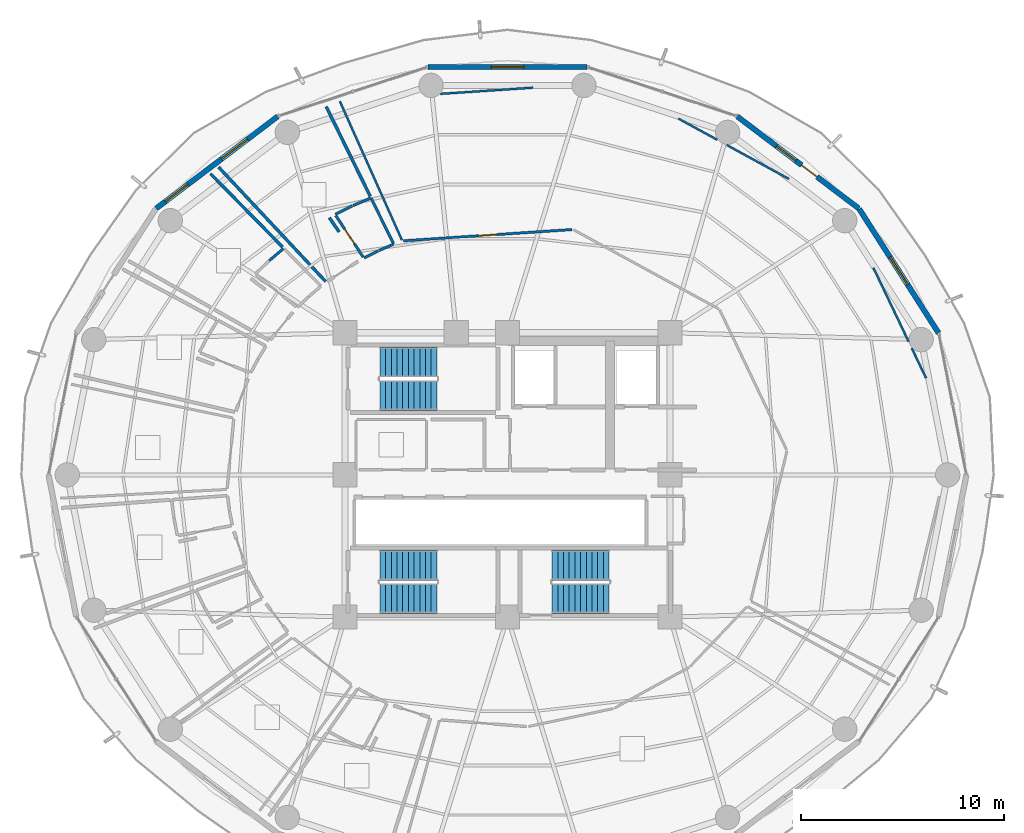
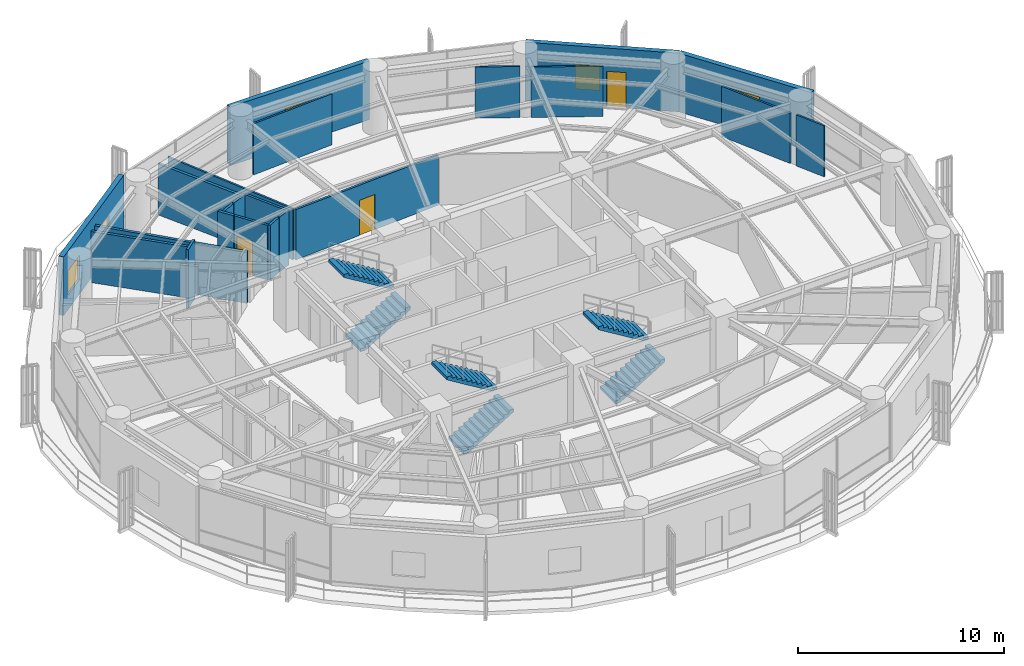
# One storey, part 24 of 29: 22 walls, 6 stair flights, 5 windows, 3 doors, 8 openings, 3 elements without a shape of their own.
"""IFC4 building model written with IfcOpenShell, lengths in metres."""

import ifcopenshell
import ifcopenshell.guid

model = None  # the IFC model being written
_history = None  # IfcOwnerHistory: only IFC2X3 demands one
_inside = {}  # id of a spatial element -> (the spatial element, [elements in it])
_under = {}  # id of a project, library or spatial element -> (it, [spatial elements below it])
_declared = {}  # id of a project -> (the project, [libraries it declares])
_typed = {}  # id of a type object -> (the type object, [elements of that type])
_made_of = {}  # id of a material, layer set ... -> (it, [elements and type objects made of it])


def new_model(schema):
    """Start an empty IFC model of exactly this schema.

    Asked for "IFC4X3", IfcOpenShell would pick the latest addendum, in which some entities
    have other attributes; the version numbers below select the first issue.
    IFC2X3 requires an IfcOwnerHistory on every rooted entity: one is made here for all.
    """
    global model, _history
    if schema == "IFC4X3":
        model = ifcopenshell.file(schema_version=(4, 3, 0, 0))
    else:
        model = ifcopenshell.file(schema=schema)
    _inside.clear()
    _under.clear()
    _declared.clear()
    _typed.clear()
    _made_of.clear()
    _history = None
    if model.schema == "IFC2X3":
        org = make("IfcOrganization", Name="unknown")
        user = make(
            "IfcPersonAndOrganization",
            ThePerson=make("IfcPerson", FamilyName="unknown"),
            TheOrganization=org,
        )
        app = make(
            "IfcApplication",
            ApplicationDeveloper=org,
            Version="unknown",
            ApplicationFullName="unknown",
            ApplicationIdentifier="unknown",
        )
        _history = make(
            "IfcOwnerHistory",
            OwningUser=user,
            OwningApplication=app,
            ChangeAction="ADDED",
            CreationDate=0,
        )
    return model


def make(cls, **values):
    """One entity of the class cls with the attributes given. An attribute that is None is left unset."""
    return model.create_entity(
        cls, **{name: value for name, value in values.items() if value is not None}
    )


def rooted(cls, **values):
    """An entity with a GlobalId (a new one), such as an element, a storey or a relation."""
    return make(cls, GlobalId=ifcopenshell.guid.new(), OwnerHistory=_history, **values)


def si_unit(unit_type, name, prefix=None):
    """IfcSIUnit, for example si_unit("LENGTHUNIT", "METRE", prefix="MILLI")."""
    return make("IfcSIUnit", UnitType=unit_type, Prefix=prefix, Name=name)


def assignment(units):
    """IfcUnitAssignment: the units of a project."""
    return None if units is None else make("IfcUnitAssignment", Units=units)


def point(xyz):
    """IfcCartesianPoint."""
    return None if xyz is None else make("IfcCartesianPoint", Coordinates=xyz)


def direction(xyz):
    """IfcDirection."""
    return None if xyz is None else make("IfcDirection", DirectionRatios=xyz)


def frame(location, z_axis=None, x_axis=None):
    """IfcAxis2Placement3D, a coordinate frame: its origin and axes. An axis left out is left unset."""
    return make(
        "IfcAxis2Placement3D",
        Location=point(location),
        Axis=direction(z_axis),
        RefDirection=direction(x_axis),
    )


def frame_2d(location, x_axis=None):
    """IfcAxis2Placement2D, a coordinate frame in the plane: its origin and x axis."""
    return make(
        "IfcAxis2Placement2D", Location=point(location), RefDirection=direction(x_axis)
    )


def origin():
    """The frame at (0, 0, 0) with its axes left unset."""
    return frame((0.0, 0.0, 0.0))


def place(relative_to, where):
    """IfcLocalPlacement: puts the frame where relative to a parent placement (None: the world)."""
    return make(
        "IfcLocalPlacement", PlacementRelTo=relative_to, RelativePlacement=where
    )


def context(
    kind, dimensions, precision=None, world=None, true_north=None, identifier=None
):
    """IfcGeometricRepresentationContext, for example the 3D "Model" context."""
    return make(
        "IfcGeometricRepresentationContext",
        ContextIdentifier=identifier,
        ContextType=kind,
        CoordinateSpaceDimension=dimensions,
        Precision=precision,
        WorldCoordinateSystem=world,
        TrueNorth=true_north,
    )


def subcontext(parent, identifier, kind, view, scale=None):
    """IfcGeometricRepresentationSubContext, for example "Body" below "Model"."""
    return make(
        "IfcGeometricRepresentationSubContext",
        ContextIdentifier=identifier,
        ContextType=kind,
        ParentContext=parent,
        TargetScale=scale,
        TargetView=view,
    )


def project(units=None, contexts=None):
    """IfcProject with its units and contexts."""
    return rooted(
        "IfcProject",
        Name="project",
        RepresentationContexts=contexts,
        UnitsInContext=assignment(units),
    )


def spatial(cls, under=None, at=None, **own):
    """A site, building, storey or space (cls), placed at a placement, below another one or the project."""
    s = rooted(cls, ObjectPlacement=at, **own)
    if under is not None:
        _under.setdefault(under.id(), (under, []))[1].append(s)
    return s


def polyline(points):
    """IfcPolyline through the points."""
    return make("IfcPolyline", Points=[point(p) for p in points])


def profile(cls, at=None, kind="AREA", **sizes):
    """A parametric profile (cls). Its sizes go by their IFC names, for example OverallWidth=200.0."""
    return make(cls, ProfileType=kind, Position=at, **sizes)


def rectangle(**sizes):
    """IfcRectangleProfileDef."""
    return profile("IfcRectangleProfileDef", **sizes)


def outline(outer, holes=None, kind="AREA"):
    """IfcArbitraryClosedProfileDef: a profile drawn as a closed curve; with holes, ...WithVoids."""
    if holes is None:
        return make("IfcArbitraryClosedProfileDef", ProfileType=kind, OuterCurve=outer)
    return make(
        "IfcArbitraryProfileDefWithVoids",
        ProfileType=kind,
        OuterCurve=outer,
        InnerCurves=holes,
    )


def extrude(swept, where, along, depth):
    """IfcExtrudedAreaSolid: the profile swept, set in the frame where, extruded along a direction by depth."""
    return make(
        "IfcExtrudedAreaSolid",
        SweptArea=swept,
        Position=where,
        ExtrudedDirection=direction(along),
        Depth=depth,
    )


def shape(context_of_items, identifier, shape_type, items):
    """IfcShapeRepresentation: the items that make up one representation, for example the "Body"."""
    return make(
        "IfcShapeRepresentation",
        ContextOfItems=context_of_items,
        RepresentationIdentifier=identifier,
        RepresentationType=shape_type,
        Items=items,
    )


def material(Name=None, Category=None):
    """IfcMaterial."""
    return make("IfcMaterial", Name=Name, Category=Category)


def layer(
    of_material, thickness, ventilated=None, Name=None, Category=None, Priority=None
):
    """IfcMaterialLayer: one layer of a wall or slab, of a material (None: an air gap)."""
    return make(
        "IfcMaterialLayer",
        Material=of_material,
        LayerThickness=thickness,
        IsVentilated=ventilated,
        Name=Name,
        Category=Category,
        Priority=Priority,
    )


def layer_set(layers, Name=None):
    """IfcMaterialLayerSet."""
    return make("IfcMaterialLayerSet", MaterialLayers=layers, LayerSetName=Name)


def made_of(thing, what):
    """Note that an element or type object is made of a material, layer set ...; save() writes the relation."""
    if what is not None:
        _made_of.setdefault(what.id(), (what, []))[1].append(thing)
    return thing


def type_object(cls, material=None, **own):
    """A type object (cls), such as IfcWallType, which elements share."""
    return made_of(rooted(cls, **own), material)


def element(
    cls,
    number,
    at=None,
    inside=None,
    cuts=None,
    type_object=None,
    material=None,
    context=None,
    identifier="Body",
    shape_type=None,
    held_by="IfcProductDefinitionShape",
    body=None,
    shapes=None,
    **own,
):
    """One element of the class cls, such as IfcWall. Its Tag is "e" and its number.

    at: its placement. inside: the storey or other place that contains it. cuts: it is an
    opening in that element (IfcRelVoidsElement). A single representation is given by context,
    identifier, shape_type and body (its items); several are given by shapes. held_by: the class
    of the entity that holds the representations. save() writes the other relations.
    """
    e = rooted(cls, Tag="e%d" % number, ObjectPlacement=at, **own)
    if body is not None:
        shapes = [shape(context, identifier, shape_type, body)]
    if shapes is not None:
        e.Representation = make(held_by, Representations=shapes)
    if inside is not None:
        _inside.setdefault(inside.id(), (inside, []))[1].append(e)
    if cuts is not None:
        rooted(
            "IfcRelVoidsElement", RelatingBuildingElement=cuts, RelatedOpeningElement=e
        )
    if type_object is not None:
        _typed.setdefault(type_object.id(), (type_object, []))[1].append(e)
    return made_of(e, material)


def fill(opening, filler):
    """IfcRelFillsElement: the door or window that sits in an opening."""
    return rooted(
        "IfcRelFillsElement",
        RelatingOpeningElement=opening,
        RelatedBuildingElement=filler,
    )


def aggregate(whole, parts):
    """IfcRelAggregates: a whole, such as a stair, and the parts it consists of."""
    return rooted("IfcRelAggregates", RelatingObject=whole, RelatedObjects=parts)


def save(model, path):
    """Write the relations noted so far, then the file.

    IfcRelAggregates (storeys below a building ...), IfcRelContainedInSpatialStructure (elements
    in a storey), IfcRelDefinesByType, IfcRelAssociatesMaterial and IfcRelDeclares: one each for
    every whole, place, type object, material and project.
    """
    for whole, parts in _under.values():
        aggregate(whole, parts)
    for where, things in _inside.values():
        rooted(
            "IfcRelContainedInSpatialStructure",
            RelatedElements=things,
            RelatingStructure=where,
        )
    for kind, things in _typed.values():
        rooted("IfcRelDefinesByType", RelatedObjects=things, RelatingType=kind)
    for what, things in _made_of.values():
        rooted("IfcRelAssociatesMaterial", RelatedObjects=things, RelatingMaterial=what)
    for by, libraries in _declared.values():
        rooted("IfcRelDeclares", RelatingContext=by, RelatedDefinitions=libraries)
    model.write(path)


model = new_model("IFC4")

# Units and contexts
model_context = context("Model", 3, precision=1e-05, world=origin(), true_north=direction((0.0, 1.0)))
body_context = subcontext(model_context, "Body", "Model", "MODEL_VIEW")
ifc_project = project(units=[si_unit("LENGTHUNIT", "METRE"), si_unit("AREAUNIT", "SQUARE_METRE"), si_unit("VOLUMEUNIT", "CUBIC_METRE"), si_unit("PLANEANGLEUNIT", "RADIAN"), si_unit("MASSUNIT", "GRAM", prefix="KILO")], contexts=[model_context])

# Site, building, storey
site_placement = place(None, origin())
site = spatial("IfcSite", under=ifc_project, at=site_placement, CompositionType="ELEMENT")
building_placement = place(site_placement, origin())
building = spatial("IfcBuilding", under=site, at=building_placement, Name="Kelanora Arch Commons", CompositionType="ELEMENT")
storey_placement = place(building_placement, frame((0.0, 0.0, 135.60009765625)))
storey = spatial("IfcBuildingStorey", under=building, at=storey_placement, Name="L34", CompositionType="ELEMENT", Elevation=135.60009765625)

# Walls
ifc_material_1 = material(Name="Autoclaved aerated concrete blockwork with fire plaster", Category="masonry")
ifc_layer_1 = layer(ifc_material_1, 0.14990234375)
ifc_layer_set_1 = layer_set([ifc_layer_1], Name="Autoclaved aerated concrete blockwork with fire plaster")
wall_type_1 = type_object("IfcWallType", Name="W-COMP-150", PredefinedType="PARTITIONING", material=ifc_layer_set_1)
wall_1_placement = place(storey_placement, frame((65.045654296875, 67.523193359375, 0.0), z_axis=(0.0, 0.0, 1.0), x_axis=(-0.683295427563, 0.730142012674, 0.0)))
element("IfcWall", 1, at=wall_1_placement, inside=storey, type_object=wall_type_1, Name="Cluster Bedroom L34-01 Enclosure Partition 2", PredefinedType="PARTITIONING", context=body_context, shape_type="SweptSolid", body=[
    extrude(rectangle(XDim=7.712890625, YDim=0.14990234375, at=frame_2d((3.8564453125, 0.0))), origin(), (0.0, 0.0, 1.0), 3.02490234375),
])
wall_2_placement = place(storey_placement, frame((65.071533203125, 76.13916015625, 0.0), z_axis=(0.0, 0.0, 1.0), x_axis=(0.440581721025, -0.897712508044, 0.0)))
element("IfcWall", 2, at=wall_2_placement, inside=storey, type_object=wall_type_1, Name="Cluster Bedroom L34-01 Enclosure Partition 5", PredefinedType="PARTITIONING", context=body_context, shape_type="SweptSolid", body=[
    extrude(rectangle(XDim=4.92724609375, YDim=0.14990234375, at=frame_2d((2.463623046875, 0.0))), origin(), (0.0, 0.0, 1.0), 3.02490234375),
])
wall_3_placement = place(storey_placement, frame((65.226806640625, 70.6669921875, 0.0), z_axis=(0.0, 0.0, 1.0), x_axis=(0.567880544382, -0.823110981164, 0.0)))
element("IfcWall", 3, at=wall_3_placement, inside=storey, type_object=wall_type_1, Name="Cluster Bedroom L34-01 Enclosure Partition 7", PredefinedType="PARTITIONING", context=body_context, shape_type="SweptSolid", body=[
    extrude(rectangle(XDim=0.850341796875, YDim=0.14990234375, at=frame_2d((0.42529296875, 0.0))), origin(), (0.0, 0.0, 1.0), 3.47998046875),
])
wall_4_placement = place(storey_placement, frame((59.368896484375, 72.83740234375, 0.0), z_axis=(0.0, 0.0, 1.0), x_axis=(0.701093902079, -0.713068959125, 0.0)))
element("IfcWall", 4, at=wall_4_placement, inside=storey, type_object=wall_type_1, Name="Cluster Bedroom L34-02 Enclosure Partition 5", PredefinedType="PARTITIONING", context=body_context, shape_type="SweptSolid", body=[
    extrude(rectangle(XDim=5.076416015625, YDim=0.14990234375, at=frame_2d((2.5380859375, 0.0))), origin(), (0.0, 0.0, 1.0), 3.02490234375),
])

# Wall, opening, window
ifc_material_2 = material(Name="Precast concrete C40/50 with terracotta rainscreen", Category="masonry")
ifc_layer_2 = layer(ifc_material_2, 0.260009765625)
ifc_layer_set_2 = layer_set([ifc_layer_2], Name="Precast concrete C40/50 with terracotta rainscreen")
wall_type_2 = type_object("IfcWallType", Name="W-EXT-TC", PredefinedType="SOLIDWALL", material=ifc_layer_set_2)
wall_5_placement = place(storey_placement, frame((95.22900390625, 64.98974609375, 0.0), z_axis=(0.0, 0.0, 1.0), x_axis=(-0.538801521808, 0.842432739213, 0.0)))
wall_5 = element("IfcWall", 5, at=wall_5_placement, inside=storey, type_object=wall_type_2, Name="Terracotta Exterior Wall L34-B01", PredefinedType="SOLIDWALL", context=body_context, shape_type="SweptSolid", body=[
    extrude(rectangle(XDim=7.25341796875, YDim=0.260009765625, at=frame_2d((3.626708984375, 0.0))), origin(), (0.0, 0.0, 1.0), 3.474853515625),
])
opening_1_placement = place(wall_5_placement, frame((2.826904296875, 0.0, 0.85009765625)))
opening_1 = element("IfcOpeningElement", 6, at=opening_1_placement, cuts=wall_5, Name="Opening WN-01", PredefinedType="OPENING", context=body_context, shape_type="SweptSolid", body=[
    extrude(rectangle(XDim=1.60009765625, YDim=1.449951171875, at=frame_2d((0.800048828125, 0.72509765625))), frame((0.0, 0.14013671875, 0.0), z_axis=(0.0, -1.0, 0.0), x_axis=(1.0, 0.0, 0.0)), (0.0, 0.0, 1.0), 0.280029296875),
])
ifc_material_3 = material(Name="Terracotta-anodised aluminium frame with operable low-E glazing", Category="masonry")
window_type_1 = type_object("IfcWindowType", Name="WIN-CL-18", PartitioningType="DOUBLE_PANEL_VERTICAL", PredefinedType="WINDOW", material=ifc_material_3)
window_1_placement = place(opening_1_placement, origin())
window_1 = element("IfcWindow", 7, at=window_1_placement, inside=storey, type_object=window_type_1, Name="Co-Living Operable Window L34-B01", OverallHeight=1.449951171875, OverallWidth=1.60009765625, PartitioningType="SINGLE_PANEL", PredefinedType="WINDOW", context=body_context, shape_type="SweptSolid", body=[
    extrude(rectangle(XDim=1.60009765625, YDim=1.449951171875, at=frame_2d((0.800048828125, 0.72509765625))), frame((0.0, 0.030029296875, 0.0), z_axis=(0.0, -1.0, 0.0), x_axis=(1.0, 0.0, 0.0)), (0.0, 0.0, 1.0), 0.06005859375),
])
fill(opening_1, window_1)

# Wall, openings, door, window
wall_6_placement = place(storey_placement, frame((91.300537109375, 71.1220703125, 0.0), z_axis=(0.0, 0.0, 1.0), x_axis=(-0.797163719609, 0.603763202042, 0.0)))
wall_6 = element("IfcWall", 8, at=wall_6_placement, inside=storey, type_object=wall_type_2, Name="Terracotta Exterior Wall L34-B02", PredefinedType="SOLIDWALL", context=body_context, shape_type="SweptSolid", body=[
    extrude(rectangle(XDim=7.51220703125, YDim=0.260009765625, at=frame_2d((3.756103515625, 0.0))), origin(), (0.0, 0.0, 1.0), 3.474853515625),
])
opening_2_placement = place(wall_6_placement, frame((2.5810546875, 0.0, 0.0)))
opening_2 = element("IfcOpeningElement", 9, at=opening_2_placement, cuts=wall_6, Name="Opening DB-01", PredefinedType="OPENING", context=body_context, shape_type="SweptSolid", body=[
    extrude(rectangle(XDim=0.949951171875, YDim=2.10009765625, at=frame_2d((0.47509765625, 1.050048828125))), frame((0.0, 0.14013671875, 0.0), z_axis=(0.0, -1.0, 0.0), x_axis=(1.0, 0.0, 0.0)), (0.0, 0.0, 1.0), 0.280029296875),
])
opening_3_placement = place(wall_6_placement, frame((3.881103515625, 0.0, 0.85009765625)))
opening_3 = element("IfcOpeningElement", 10, at=opening_3_placement, cuts=wall_6, Name="Opening WN-02", PredefinedType="OPENING", context=body_context, shape_type="SweptSolid", body=[
    extrude(rectangle(XDim=1.199951171875, YDim=1.449951171875, at=frame_2d((0.60009765625, 0.72509765625))), frame((0.0, 0.14013671875, 0.0), z_axis=(0.0, -1.0, 0.0), x_axis=(1.0, 0.0, 0.0)), (0.0, 0.0, 1.0), 0.280029296875),
])
ifc_material_4 = material(Name="Terracotta-aluminium thermally broken glazed balcony door", Category="masonry")
door_type_1 = type_object("IfcDoorType", Name="D-BAL-10", OperationType="NOTDEFINED", PredefinedType="DOOR", material=ifc_material_4)
door_1_placement = place(opening_2_placement, frame((0.949951171875, 0.0, 0.0), z_axis=(0.0, 0.0, 1.0), x_axis=(-1.0, 0.0, 0.0)))
door_1 = element("IfcDoor", 11, at=door_1_placement, inside=storey, type_object=door_type_1, Name="Wave Balcony Door L34-B02", OperationType="SINGLE_SWING_LEFT", OverallHeight=2.10009765625, OverallWidth=0.949951171875, PredefinedType="DOOR", context=body_context, shape_type="SweptSolid", body=[
    extrude(rectangle(XDim=0.949951171875, YDim=2.10009765625, at=frame_2d((0.47509765625, 1.050048828125))), frame((0.0, 0.02490234375, 0.0), z_axis=(0.0, -1.0, 0.0), x_axis=(1.0, 0.0, 0.0)), (0.0, 0.0, 1.0), 0.050048828125),
])
fill(opening_2, door_1)
ifc_material_5 = material(Name="Terracotta-anodised aluminium frame with operable awning sash", Category="masonry")
window_type_2 = type_object("IfcWindowType", Name="WIN-CL-12", PartitioningType="SINGLE_PANEL", PredefinedType="WINDOW", material=ifc_material_5)
window_2_placement = place(opening_3_placement, origin())
window_2 = element("IfcWindow", 12, at=window_2_placement, inside=storey, type_object=window_type_2, Name="Co-Living Operable Window L34-B02", OverallHeight=1.449951171875, OverallWidth=1.199951171875, PartitioningType="SINGLE_PANEL", PredefinedType="WINDOW", context=body_context, shape_type="SweptSolid", body=[
    extrude(rectangle(XDim=1.199951171875, YDim=1.449951171875, at=frame_2d((0.60009765625, 0.72509765625))), frame((0.0, 0.030029296875, 0.0), z_axis=(0.0, -1.0, 0.0), x_axis=(1.0, 0.0, 0.0)), (0.0, 0.0, 1.0), 0.06005859375),
])
fill(opening_3, window_2)

# Wall, opening, window
wall_7_placement = place(storey_placement, frame((77.909423828125, 78.090087890625, 0.0), z_axis=(0.0, 0.0, 1.0), x_axis=(-1.0, 0.0, 0.0)))
wall_7 = element("IfcWall", 13, at=wall_7_placement, inside=storey, type_object=wall_type_2, Name="Terracotta Exterior Wall L34-B04", PredefinedType="SOLIDWALL", context=body_context, shape_type="SweptSolid", body=[
    extrude(rectangle(XDim=7.81884765625, YDim=0.260009765625, at=frame_2d((3.909423828125, 0.0))), origin(), (0.0, 0.0, 1.0), 3.474853515625),
])
opening_4_placement = place(wall_7_placement, frame((3.10888671875, 0.0, 0.85009765625)))
opening_4 = element("IfcOpeningElement", 14, at=opening_4_placement, cuts=wall_7, Name="Opening WN-01", PredefinedType="OPENING", context=body_context, shape_type="SweptSolid", body=[
    extrude(rectangle(XDim=1.60009765625, YDim=1.449951171875, at=frame_2d((0.800048828125, 0.72509765625))), frame((0.0, 0.14013671875, 0.0), z_axis=(0.0, -1.0, 0.0), x_axis=(1.0, 0.0, 0.0)), (0.0, 0.0, 1.0), 0.280029296875),
])
window_3_placement = place(opening_4_placement, origin())
window_3 = element("IfcWindow", 15, at=window_3_placement, inside=storey, type_object=window_type_1, Name="Co-Living Operable Window L34-B04", OverallHeight=1.449951171875, OverallWidth=1.60009765625, PartitioningType="SINGLE_PANEL", PredefinedType="WINDOW", context=body_context, shape_type="SweptSolid", body=[
    extrude(rectangle(XDim=1.60009765625, YDim=1.449951171875, at=frame_2d((0.800048828125, 0.72509765625))), frame((0.0, 0.030029296875, 0.0), z_axis=(0.0, -1.0, 0.0), x_axis=(1.0, 0.0, 0.0)), (0.0, 0.0, 1.0), 0.06005859375),
])
fill(opening_4, window_3)

# Wall, openings, windows
wall_8_placement = place(storey_placement, frame((62.68798828125, 75.65771484375, 0.0), z_axis=(0.0, 0.0, 1.0), x_axis=(-0.797163719609, -0.603763202042, 0.0)))
wall_8 = element("IfcWall", 16, at=wall_8_placement, inside=storey, type_object=wall_type_2, Name="Terracotta Exterior Wall L34-B06", PredefinedType="SOLIDWALL", context=body_context, shape_type="SweptSolid", body=[
    extrude(rectangle(XDim=7.51220703125, YDim=0.260009765625, at=frame_2d((3.756103515625, 0.0))), origin(), (0.0, 0.0, 1.0), 3.474853515625),
])
opening_5_placement = place(wall_8_placement, frame((1.8759765625, 0.0, 0.85009765625)))
opening_5 = element("IfcOpeningElement", 17, at=opening_5_placement, cuts=wall_8, Name="Opening WN-01", PredefinedType="OPENING", context=body_context, shape_type="SweptSolid", body=[
    extrude(rectangle(XDim=1.60009765625, YDim=1.449951171875, at=frame_2d((0.800048828125, 0.72509765625))), frame((0.0, 0.14013671875, 0.0), z_axis=(0.0, -1.0, 0.0), x_axis=(1.0, 0.0, 0.0)), (0.0, 0.0, 1.0), 0.280029296875),
])
opening_6_placement = place(wall_8_placement, frame((5.55810546875, 0.0, 0.85009765625)))
opening_6 = element("IfcOpeningElement", 18, at=opening_6_placement, cuts=wall_8, Name="Opening WN-04", PredefinedType="OPENING", context=body_context, shape_type="SweptSolid", body=[
    extrude(rectangle(XDim=1.39990234375, YDim=1.449951171875, at=frame_2d((0.699951171875, 0.72509765625))), frame((0.0, 0.14013671875, 0.0), z_axis=(0.0, -1.0, 0.0), x_axis=(1.0, 0.0, 0.0)), (0.0, 0.0, 1.0), 0.280029296875),
])
window_type_3 = type_object("IfcWindowType", Name="WIN-CL-14", PartitioningType="DOUBLE_PANEL_VERTICAL", PredefinedType="WINDOW", material=ifc_material_3)
window_4_placement = place(opening_6_placement, origin())
window_4 = element("IfcWindow", 19, at=window_4_placement, inside=storey, type_object=window_type_3, Name="Co-Living Operable Window L34-B06-X2", OverallHeight=1.449951171875, OverallWidth=1.39990234375, PartitioningType="SINGLE_PANEL", PredefinedType="WINDOW", context=body_context, shape_type="SweptSolid", body=[
    extrude(rectangle(XDim=1.39990234375, YDim=1.449951171875, at=frame_2d((0.699951171875, 0.72509765625))), frame((0.0, 0.030029296875, 0.0), z_axis=(0.0, -1.0, 0.0), x_axis=(1.0, 0.0, 0.0)), (0.0, 0.0, 1.0), 0.06005859375),
])
fill(opening_6, window_4)
window_5_placement = place(opening_5_placement, origin())
window_5 = element("IfcWindow", 20, at=window_5_placement, inside=storey, type_object=window_type_1, Name="Co-Living Operable Window L34-B06", OverallHeight=1.449951171875, OverallWidth=1.60009765625, PartitioningType="SINGLE_PANEL", PredefinedType="WINDOW", context=body_context, shape_type="SweptSolid", body=[
    extrude(rectangle(XDim=1.60009765625, YDim=1.449951171875, at=frame_2d((0.800048828125, 0.72509765625))), frame((0.0, 0.030029296875, 0.0), z_axis=(0.0, -1.0, 0.0), x_axis=(1.0, 0.0, 0.0)), (0.0, 0.0, 1.0), 0.06005859375),
])
fill(opening_5, window_5)

# Walls
ifc_material_6 = material(Name="Lightweight fire-rated acoustic stud partition")
ifc_layer_3 = layer(ifc_material_6, 0.10009765625)
ifc_layer_set_3 = layer_set([ifc_layer_3], Name="Lightweight fire-rated acoustic stud partition")
wall_type_3 = type_object("IfcWallType", Name="W-PART-100", PredefinedType="PARTITIONING", material=ifc_layer_set_3)
wall_9_placement = place(storey_placement, frame((68.802734375, 69.5615234375, 0.0), z_axis=(0.0, 0.0, 1.0), x_axis=(-0.408373210504, 0.912815052978, 0.0)))
element("IfcWall", 21, at=wall_9_placement, inside=storey, type_object=wall_type_3, Name="North-East Quiet Study Commons L34 Enclosure Partition 5", PredefinedType="PARTITIONING", context=body_context, shape_type="SweptSolid", body=[
    extrude(rectangle(XDim=7.48681640625, YDim=0.10009765625, at=frame_2d((3.743408203125, 0.0))), origin(), (0.0, 0.0, 1.0), 3.02490234375),
])
wall_10_placement = place(storey_placement, frame((70.69873046875, 76.764892578125, 0.0), z_axis=(0.0, 0.0, 1.0), x_axis=(0.997765691497, 0.066810365006, 0.0)))
element("IfcWall", 22, at=wall_10_placement, inside=storey, type_object=wall_type_3, Name="North-East Quiet Study Commons L34 Enclosure Partition 6", PredefinedType="PARTITIONING", context=body_context, shape_type="SweptSolid", body=[
    extrude(rectangle(XDim=4.560546875, YDim=0.10009765625, at=frame_2d((2.2802734375, 0.0))), origin(), (0.0, 0.0, 1.0), 3.02490234375),
])
wall_11_placement = place(storey_placement, frame((82.41845703125, 75.54736328125, 0.0), z_axis=(0.0, 0.0, 1.0), x_axis=(0.877506976323, -0.479563871142, 0.0)))
element("IfcWall", 23, at=wall_11_placement, inside=storey, type_object=wall_type_3, Name="North-East Quiet Study Commons L34 Enclosure Partition 7", PredefinedType="PARTITIONING", context=body_context, shape_type="SweptSolid", body=[
    extrude(rectangle(XDim=2.1865234375, YDim=0.10009765625, at=frame_2d((1.09326171875, 0.0))), origin(), (0.0, 0.0, 1.0), 3.02490234375),
])
wall_12_placement = place(storey_placement, frame((84.799072265625, 74.24658203125, 0.0), z_axis=(0.0, 0.0, 1.0), x_axis=(0.877555375774, -0.479475299104, 0.0)))
element("IfcWall", 24, at=wall_12_placement, inside=storey, type_object=wall_type_3, Name="North-East Quiet Study Commons L34 Enclosure Partition 7", PredefinedType="PARTITIONING", context=body_context, shape_type="SweptSolid", body=[
    extrude(rectangle(XDim=3.4853515625, YDim=0.10009765625, at=frame_2d((1.74267578125, 0.0))), origin(), (0.0, 0.0, 1.0), 2.974853515625),
])
wall_13_placement = place(storey_placement, frame((92.019287109375, 68.201416015625, 0.0), z_axis=(0.0, 0.0, 1.0), x_axis=(0.430690351596, -0.90249976235, 0.0)))
element("IfcWall", 25, at=wall_13_placement, inside=storey, type_object=wall_type_3, Name="North-East Quiet Study Commons L34 Enclosure Partition 8", PredefinedType="PARTITIONING", context=body_context, shape_type="SweptSolid", body=[
    extrude(rectangle(XDim=4.031494140625, YDim=0.10009765625, at=frame_2d((2.015625, 0.0))), origin(), (0.0, 0.0, 1.0), 2.974853515625),
])
wall_14_placement = place(storey_placement, frame((93.90673828125, 64.24560546875, 0.0), z_axis=(0.0, 0.0, 1.0), x_axis=(0.430638623677, -0.902524446094, 0.0)))
element("IfcWall", 26, at=wall_14_placement, inside=storey, type_object=wall_type_3, Name="North-East Quiet Study Commons L34 Enclosure Partition 8", PredefinedType="PARTITIONING", context=body_context, shape_type="SweptSolid", body=[
    extrude(rectangle(XDim=1.6396484375, YDim=0.10009765625, at=frame_2d((0.81982421875, 0.0))), origin(), (0.0, 0.0, 1.0), 3.02490234375),
])

# Wall, opening, door
ifc_material_7 = material(Name="Acoustic twin-stud fire-rated gypsum partition")
ifc_layer_4 = layer(ifc_material_7, 0.1201171875)
ifc_layer_set_4 = layer_set([ifc_layer_4], Name="Acoustic twin-stud fire-rated gypsum partition")
wall_type_4 = type_object("IfcWallType", Name="W-PART-120", PredefinedType="PARTITIONING", material=ifc_layer_set_4)
wall_15_placement = place(storey_placement, frame((77.169189453125, 70.0830078125, 0.0), z_axis=(0.0, 0.0, 1.0), x_axis=(-0.997775005058, -0.066671127793, 0.0)))
wall_15 = element("IfcWall", 27, at=wall_15_placement, inside=storey, type_object=wall_type_4, Name="North-East Quiet Study Commons L34 Entry Partition", PredefinedType="PARTITIONING", context=body_context, shape_type="SweptSolid", body=[
    extrude(rectangle(XDim=8.308837890625, YDim=0.1201171875, at=frame_2d((4.154296875, 0.0))), origin(), (0.0, 0.0, 1.0), 2.974853515625),
])
opening_7_placement = place(wall_15_placement, frame((3.7041015625, 0.0, 0.0)))
opening_7 = element("IfcOpeningElement", 28, at=opening_7_placement, cuts=wall_15, Name="Opening D-RM1", PredefinedType="OPENING", context=body_context, shape_type="SweptSolid", body=[
    extrude(rectangle(XDim=0.89990234375, YDim=2.080078125, at=frame_2d((0.449951171875, 1.0400390625))), frame((0.0, 0.070068359375, 0.0), z_axis=(0.0, -1.0, 0.0), x_axis=(1.0, 0.0, 0.0)), (0.0, 0.0, 1.0), 0.14013671875),
])
ifc_material_8 = material(Name="Acoustic fire-rated timber study and lounge door", Category="wood")
door_type_2 = type_object("IfcDoorType", Name="D-ROOM-90", OperationType="NOTDEFINED", PredefinedType="DOOR", material=ifc_material_8)
door_2_placement = place(opening_7_placement, origin())
door_2 = element("IfcDoor", 29, at=door_2_placement, inside=storey, type_object=door_type_2, Name="North-East Quiet Study Commons L34 Door", OperationType="SINGLE_SWING_LEFT", OverallHeight=2.080078125, OverallWidth=0.89990234375, PredefinedType="DOOR", context=body_context, shape_type="SweptSolid", body=[
    extrude(rectangle(XDim=0.89990234375, YDim=2.080078125, at=frame_2d((0.449951171875, 1.0400390625))), frame((0.0, 0.02490234375, 0.0), z_axis=(0.0, -1.0, 0.0), x_axis=(1.0, 0.0, 0.0)), (0.0, 0.0, 1.0), 0.050048828125),
])
fill(opening_7, door_2)

ifc_material_9 = material(Name="Moisture-resistant fire-rated cement-board plumbing wall")
ifc_layer_5 = layer(ifc_material_9, 0.1298828125)
ifc_layer_set_5 = layer_set([ifc_layer_5], Name="Moisture-resistant fire-rated cement-board plumbing wall")
wall_type_5 = type_object("IfcWallType", Name="W-WET-120", PredefinedType="PLUMBINGWALL", material=ifc_layer_set_5)
wall_16_placement = place(storey_placement, frame((66.890869140625, 68.72998046875, 0.0), z_axis=(0.0, 0.0, 1.0), x_axis=(-0.550825526042, 0.834620416633, 0.0)))
wall_16 = element("IfcWall", 30, at=wall_16_placement, inside=storey, type_object=wall_type_5, Name="En-Suite Shower WC L34-01 Entry Partition", PredefinedType="PLUMBINGWALL", context=body_context, shape_type="SweptSolid", body=[
    extrude(rectangle(XDim=2.446533203125, YDim=0.1298828125, at=frame_2d((1.22314453125, 0.0))), origin(), (0.0, 0.0, 1.0), 3.23486328125),
])
opening_8_placement = place(wall_16_placement, frame((0.79296875, 0.0, 0.0)))
opening_8 = element("IfcOpeningElement", 31, at=opening_8_placement, cuts=wall_16, Name="Opening D-BT1", PredefinedType="OPENING", context=body_context, shape_type="SweptSolid", body=[
    extrude(rectangle(XDim=0.860107421875, YDim=2.050048828125, at=frame_2d((0.43017578125, 1.02490234375))), frame((0.0, 0.074951171875, 0.0), z_axis=(0.0, -1.0, 0.0), x_axis=(1.0, 0.0, 0.0)), (0.0, 0.0, 1.0), 0.14990234375),
])
ifc_material_10 = material(Name="Moisture-sealed fire-rated accessible bathroom door")
door_type_3 = type_object("IfcDoorType", Name="D-BATH-85", OperationType="NOTDEFINED", PredefinedType="DOOR", material=ifc_material_10)
door_3_placement = place(opening_8_placement, origin())
door_3 = element("IfcDoor", 32, at=door_3_placement, inside=storey, type_object=door_type_3, Name="En-Suite Shower WC L34-01 Door", OperationType="SINGLE_SWING_RIGHT", OverallHeight=2.050048828125, OverallWidth=0.860107421875, PredefinedType="DOOR", context=body_context, shape_type="SweptSolid", body=[
    extrude(rectangle(XDim=0.860107421875, YDim=2.050048828125, at=frame_2d((0.43017578125, 1.02490234375))), frame((0.0, 0.02490234375, 0.0), z_axis=(0.0, -1.0, 0.0), x_axis=(1.0, 0.0, 0.0)), (0.0, 0.0, 1.0), 0.050048828125),
])
fill(opening_8, door_3)

# Walls
wall_17_placement = place(storey_placement, frame((68.378662109375, 69.356201171875, 0.0), z_axis=(0.0, 0.0, 1.0), x_axis=(-0.918393228723, -0.395668898746, 0.0)))
element("IfcWall", 33, at=wall_17_placement, inside=storey, type_object=wall_type_5, Name="En-Suite Shower WC L34-01 Enclosure Partition 1", PredefinedType="PLUMBINGWALL", context=body_context, shape_type="SweptSolid", body=[
    extrude(rectangle(XDim=0.7744140625, YDim=0.1298828125, at=frame_2d((0.38720703125, 0.0))), origin(), (0.0, 0.0, 1.0), 3.23486328125),
])
wall_18_placement = place(storey_placement, frame((67.631103515625, 69.033203125, 0.0), z_axis=(0.0, 0.0, 1.0), x_axis=(-0.894617251975, -0.446833271443, 0.0)))
element("IfcWall", 34, at=wall_18_placement, inside=storey, type_object=wall_type_5, Name="En-Suite Shower WC L34-01 Enclosure Partition 2", PredefinedType="PLUMBINGWALL", context=body_context, shape_type="SweptSolid", body=[
    extrude(rectangle(XDim=0.7705078125, YDim=0.1298828125, at=frame_2d((0.38525390625, 0.0))), origin(), (0.0, 0.0, 1.0), 3.23486328125),
])
wall_19_placement = place(storey_placement, frame((65.52783203125, 70.8310546875, 0.0), z_axis=(0.0, 0.0, 1.0), x_axis=(0.894269924497, 0.447527990343, 0.0)))
element("IfcWall", 35, at=wall_19_placement, inside=storey, type_object=wall_type_5, Name="En-Suite Shower WC L34-01 Enclosure Partition 4", PredefinedType="PLUMBINGWALL", context=body_context, shape_type="SweptSolid", body=[
    extrude(rectangle(XDim=0.931884765625, YDim=0.1298828125, at=frame_2d((0.4658203125, 0.0))), origin(), (0.0, 0.0, 1.0), 3.1748046875),
])
wall_20_placement = place(storey_placement, frame((66.3974609375, 71.264892578125, 0.0), z_axis=(0.0, 0.0, 1.0), x_axis=(0.918726840833, 0.394893646357, 0.0)))
element("IfcWall", 36, at=wall_20_placement, inside=storey, type_object=wall_type_5, Name="En-Suite Shower WC L34-01 Enclosure Partition 5", PredefinedType="PLUMBINGWALL", context=body_context, shape_type="SweptSolid", body=[
    extrude(rectangle(XDim=0.937255859375, YDim=0.1298828125, at=frame_2d((0.46875, 0.0))), origin(), (0.0, 0.0, 1.0), 3.1748046875),
])
wall_21_placement = place(storey_placement, frame((67.285888671875, 71.625, 0.0), z_axis=(0.0, 0.0, 1.0), x_axis=(0.441029506653, -0.897492604015, 0.0)))
element("IfcWall", 37, at=wall_21_placement, inside=storey, type_object=wall_type_5, Name="En-Suite Shower WC L34-01 Enclosure Partition 6", PredefinedType="PLUMBINGWALL", context=body_context, shape_type="SweptSolid", body=[
    extrude(rectangle(XDim=2.499267578125, YDim=0.1298828125, at=frame_2d((1.24951171875, 0.0))), origin(), (0.0, 0.0, 1.0), 3.1748046875),
])
wall_22_placement = place(storey_placement, frame((62.273193359375, 68.558837890625, 0.0), z_axis=(0.0, 0.0, 1.0), x_axis=(0.763243602663, 0.646110828724, 0.0)))
element("IfcWall", 38, at=wall_22_placement, inside=storey, type_object=wall_type_5, Name="En-Suite Shower WC L34-02 Enclosure Partition 5", PredefinedType="PLUMBINGWALL", context=body_context, shape_type="SweptSolid", body=[
    extrude(rectangle(XDim=0.90869140625, YDim=0.1298828125, at=frame_2d((0.454345703125, 0.0))), origin(), (0.0, 0.0, 1.0), 3.47998046875),
])

# Stair, stair flights
ifc_material_11 = material(Name="Concrete C40/50", Category="concrete")
stair_type = type_object("IfcStairType", Name="STR-DL-375", PredefinedType="HALF_TURN_STAIR", material=ifc_material_11)
stair_1_placement = place(storey_placement, origin())
stair_1 = element("IfcStair", 39, at=stair_1_placement, inside=storey, type_object=stair_type, Name="L34 ST-T1", PredefinedType="HALF_TURN_STAIR")
stair_flight_type = type_object("IfcStairFlightType", Name="FLT-DL-375", PredefinedType="STRAIGHT", material=ifc_material_11)
stair_flight_1_placement = place(storey_placement, frame((67.719970703125, 61.919921875, 0.0), z_axis=(0.0, 0.0, 1.0), x_axis=(1.0, 0.0, 0.0)))
stair_flight_1 = element("IfcStairFlight", 40, at=stair_flight_1_placement, type_object=stair_flight_type, Name="ST-T1 flight 1", NumberOfRisers=11, NumberOfTreads=10, PredefinedType="STRAIGHT", RiserHeight=0.170454545, TreadLength=0.28, context=body_context, shape_type="SweptSolid", body=[
    extrude(outline(polyline([(0.0, 0.0), (0.0, 0.17041015625), (0.280029296875, 0.17041015625), (0.280029296875, 0.3408203125), (0.56005859375, 0.3408203125), (0.56005859375, 0.511474609375), (0.840087890625, 0.511474609375), (0.840087890625, 0.681884765625), (1.1201171875, 0.681884765625), (1.1201171875, 0.852294921875), (1.39990234375, 0.852294921875), (1.39990234375, 1.022705078125), (1.679931640625, 1.022705078125), (1.679931640625, 1.193115234375), (1.9599609375, 1.193115234375), (1.9599609375, 1.363525390625), (2.239990234375, 1.363525390625), (2.239990234375, 1.5341796875), (2.52001953125, 1.5341796875), (2.52001953125, 1.70458984375), (2.800048828125, 1.70458984375), (2.800048828125, 1.875), (2.800048828125, 1.529052734375), (0.288330078125, 0.0), (0.0, 0.0)])), frame((0.0, 0.739990234375, 0.0), z_axis=(0.0, -1.0, 0.0), x_axis=(1.0, 0.0, 0.0)), (0.0, 0.0, 1.0), 1.47998046875),
])
stair_flight_2_placement = place(storey_placement, frame((70.52001953125, 63.550048828125, 1.875), z_axis=(0.0, 0.0, 1.0), x_axis=(-1.0, 0.0, 0.0)))
stair_flight_2 = element("IfcStairFlight", 41, at=stair_flight_2_placement, type_object=stair_flight_type, Name="ST-T1 flight 2", NumberOfRisers=11, NumberOfTreads=10, PredefinedType="STRAIGHT", RiserHeight=0.170454545, TreadLength=0.28, context=body_context, shape_type="SweptSolid", body=[
    extrude(outline(polyline([(0.0, 0.0), (0.0, 0.17041015625), (0.280029296875, 0.17041015625), (0.280029296875, 0.3408203125), (0.56005859375, 0.3408203125), (0.56005859375, 0.511474609375), (0.840087890625, 0.511474609375), (0.840087890625, 0.681884765625), (1.1201171875, 0.681884765625), (1.1201171875, 0.852294921875), (1.39990234375, 0.852294921875), (1.39990234375, 1.022705078125), (1.679931640625, 1.022705078125), (1.679931640625, 1.193115234375), (1.9599609375, 1.193115234375), (1.9599609375, 1.363525390625), (2.239990234375, 1.363525390625), (2.239990234375, 1.5341796875), (2.52001953125, 1.5341796875), (2.52001953125, 1.70458984375), (2.800048828125, 1.70458984375), (2.800048828125, 1.875), (2.800048828125, 1.529052734375), (0.288330078125, 0.0), (0.0, 0.0)])), frame((0.0, 0.739990234375, 0.0), z_axis=(0.0, -1.0, 0.0), x_axis=(1.0, 0.0, 0.0)), (0.0, 0.0, 1.0), 1.47998046875),
])
aggregate(stair_1, [stair_flight_1, stair_flight_2])

stair_2_placement = place(storey_placement, origin())
stair_2 = element("IfcStair", 42, at=stair_2_placement, inside=storey, type_object=stair_type, Name="L34 ST-T2", PredefinedType="HALF_TURN_STAIR")
stair_flight_3_placement = place(storey_placement, frame((76.199951171875, 51.919921875, 0.0), z_axis=(0.0, 0.0, 1.0), x_axis=(1.0, 0.0, 0.0)))
stair_flight_3 = element("IfcStairFlight", 43, at=stair_flight_3_placement, type_object=stair_flight_type, Name="ST-T2 flight 1", NumberOfRisers=11, NumberOfTreads=10, PredefinedType="STRAIGHT", RiserHeight=0.170454545, TreadLength=0.28, context=body_context, shape_type="SweptSolid", body=[
    extrude(outline(polyline([(0.0, 0.0), (0.0, 0.17041015625), (0.280029296875, 0.17041015625), (0.280029296875, 0.3408203125), (0.56005859375, 0.3408203125), (0.56005859375, 0.511474609375), (0.840087890625, 0.511474609375), (0.840087890625, 0.681884765625), (1.1201171875, 0.681884765625), (1.1201171875, 0.852294921875), (1.39990234375, 0.852294921875), (1.39990234375, 1.022705078125), (1.679931640625, 1.022705078125), (1.679931640625, 1.193115234375), (1.9599609375, 1.193115234375), (1.9599609375, 1.363525390625), (2.239990234375, 1.363525390625), (2.239990234375, 1.5341796875), (2.52001953125, 1.5341796875), (2.52001953125, 1.70458984375), (2.800048828125, 1.70458984375), (2.800048828125, 1.875), (2.800048828125, 1.529052734375), (0.288330078125, 0.0), (0.0, 0.0)])), frame((0.0, 0.739990234375, 0.0), z_axis=(0.0, -1.0, 0.0), x_axis=(1.0, 0.0, 0.0)), (0.0, 0.0, 1.0), 1.47998046875),
])
stair_flight_4_placement = place(storey_placement, frame((79.0, 53.550048828125, 1.875), z_axis=(0.0, 0.0, 1.0), x_axis=(-1.0, 0.0, 0.0)))
stair_flight_4 = element("IfcStairFlight", 44, at=stair_flight_4_placement, type_object=stair_flight_type, Name="ST-T2 flight 2", NumberOfRisers=11, NumberOfTreads=10, PredefinedType="STRAIGHT", RiserHeight=0.170454545, TreadLength=0.28, context=body_context, shape_type="SweptSolid", body=[
    extrude(outline(polyline([(0.0, 0.0), (0.0, 0.17041015625), (0.280029296875, 0.17041015625), (0.280029296875, 0.3408203125), (0.56005859375, 0.3408203125), (0.56005859375, 0.511474609375), (0.840087890625, 0.511474609375), (0.840087890625, 0.681884765625), (1.1201171875, 0.681884765625), (1.1201171875, 0.852294921875), (1.39990234375, 0.852294921875), (1.39990234375, 1.022705078125), (1.679931640625, 1.022705078125), (1.679931640625, 1.193115234375), (1.9599609375, 1.193115234375), (1.9599609375, 1.363525390625), (2.239990234375, 1.363525390625), (2.239990234375, 1.5341796875), (2.52001953125, 1.5341796875), (2.52001953125, 1.70458984375), (2.800048828125, 1.70458984375), (2.800048828125, 1.875), (2.800048828125, 1.529052734375), (0.288330078125, 0.0), (0.0, 0.0)])), frame((0.0, 0.739990234375, 0.0), z_axis=(0.0, -1.0, 0.0), x_axis=(1.0, 0.0, 0.0)), (0.0, 0.0, 1.0), 1.47998046875),
])
aggregate(stair_2, [stair_flight_3, stair_flight_4])

stair_3_placement = place(storey_placement, origin())
stair_3 = element("IfcStair", 45, at=stair_3_placement, inside=storey, type_object=stair_type, Name="L34 ST-T3", PredefinedType="HALF_TURN_STAIR")
stair_flight_5_placement = place(storey_placement, frame((67.719970703125, 51.919921875, 0.0), z_axis=(0.0, 0.0, 1.0), x_axis=(1.0, 0.0, 0.0)))
stair_flight_5 = element("IfcStairFlight", 46, at=stair_flight_5_placement, type_object=stair_flight_type, Name="ST-T3 flight 1", NumberOfRisers=11, NumberOfTreads=10, PredefinedType="STRAIGHT", RiserHeight=0.170454545, TreadLength=0.28, context=body_context, shape_type="SweptSolid", body=[
    extrude(outline(polyline([(0.0, 0.0), (0.0, 0.17041015625), (0.280029296875, 0.17041015625), (0.280029296875, 0.3408203125), (0.56005859375, 0.3408203125), (0.56005859375, 0.511474609375), (0.840087890625, 0.511474609375), (0.840087890625, 0.681884765625), (1.1201171875, 0.681884765625), (1.1201171875, 0.852294921875), (1.39990234375, 0.852294921875), (1.39990234375, 1.022705078125), (1.679931640625, 1.022705078125), (1.679931640625, 1.193115234375), (1.9599609375, 1.193115234375), (1.9599609375, 1.363525390625), (2.239990234375, 1.363525390625), (2.239990234375, 1.5341796875), (2.52001953125, 1.5341796875), (2.52001953125, 1.70458984375), (2.800048828125, 1.70458984375), (2.800048828125, 1.875), (2.800048828125, 1.529052734375), (0.288330078125, 0.0), (0.0, 0.0)])), frame((0.0, 0.739990234375, 0.0), z_axis=(0.0, -1.0, 0.0), x_axis=(1.0, 0.0, 0.0)), (0.0, 0.0, 1.0), 1.47998046875),
])
stair_flight_6_placement = place(storey_placement, frame((70.52001953125, 53.550048828125, 1.875), z_axis=(0.0, 0.0, 1.0), x_axis=(-1.0, 0.0, 0.0)))
stair_flight_6 = element("IfcStairFlight", 47, at=stair_flight_6_placement, type_object=stair_flight_type, Name="ST-T3 flight 2", NumberOfRisers=11, NumberOfTreads=10, PredefinedType="STRAIGHT", RiserHeight=0.170454545, TreadLength=0.28, context=body_context, shape_type="SweptSolid", body=[
    extrude(outline(polyline([(0.0, 0.0), (0.0, 0.17041015625), (0.280029296875, 0.17041015625), (0.280029296875, 0.3408203125), (0.56005859375, 0.3408203125), (0.56005859375, 0.511474609375), (0.840087890625, 0.511474609375), (0.840087890625, 0.681884765625), (1.1201171875, 0.681884765625), (1.1201171875, 0.852294921875), (1.39990234375, 0.852294921875), (1.39990234375, 1.022705078125), (1.679931640625, 1.022705078125), (1.679931640625, 1.193115234375), (1.9599609375, 1.193115234375), (1.9599609375, 1.363525390625), (2.239990234375, 1.363525390625), (2.239990234375, 1.5341796875), (2.52001953125, 1.5341796875), (2.52001953125, 1.70458984375), (2.800048828125, 1.70458984375), (2.800048828125, 1.875), (2.800048828125, 1.529052734375), (0.288330078125, 0.0), (0.0, 0.0)])), frame((0.0, 0.739990234375, 0.0), z_axis=(0.0, -1.0, 0.0), x_axis=(1.0, 0.0, 0.0)), (0.0, 0.0, 1.0), 1.47998046875),
])
aggregate(stair_3, [stair_flight_5, stair_flight_6])

save(model, "model.ifc")
